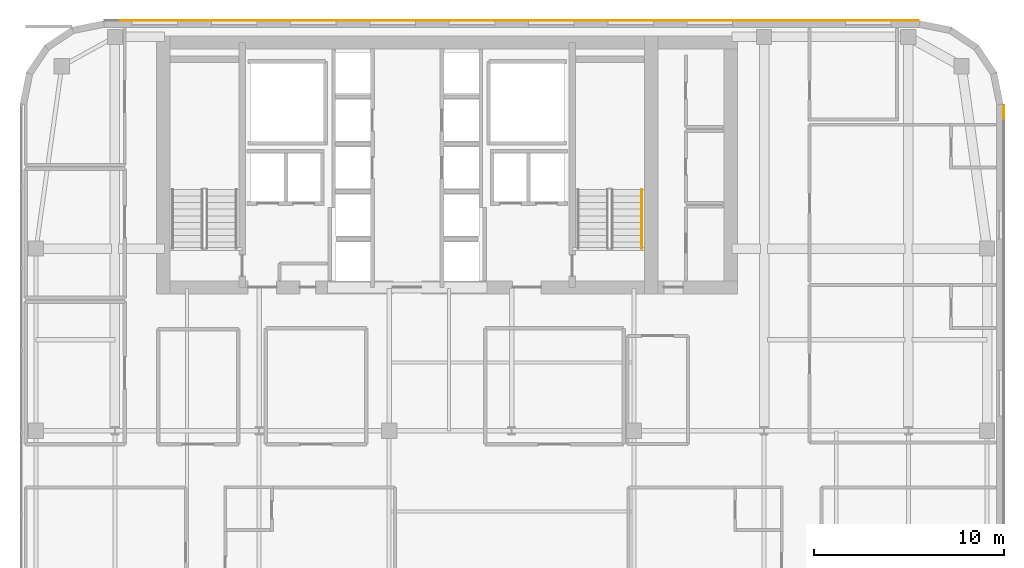
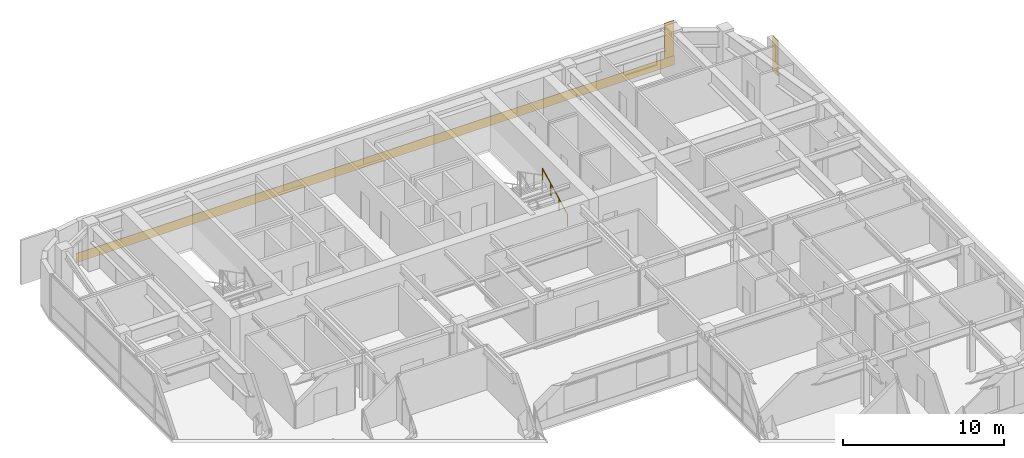
# One storey, part 28 of 28: 3 coverings, 1 railing.
"""IFC4 building model written with IfcOpenShell, lengths in metres."""

import ifcopenshell
import ifcopenshell.guid

model = None  # the IFC model being written
_history = None  # IfcOwnerHistory: only IFC2X3 demands one
_inside = {}  # id of a spatial element -> (the spatial element, [elements in it])
_under = {}  # id of a project, library or spatial element -> (it, [spatial elements below it])
_declared = {}  # id of a project -> (the project, [libraries it declares])
_typed = {}  # id of a type object -> (the type object, [elements of that type])
_made_of = {}  # id of a material, layer set ... -> (it, [elements and type objects made of it])


def new_model(schema):
    """Start an empty IFC model of exactly this schema.

    Asked for "IFC4X3", IfcOpenShell would pick the latest addendum, in which some entities
    have other attributes; the version numbers below select the first issue.
    IFC2X3 requires an IfcOwnerHistory on every rooted entity: one is made here for all.
    """
    global model, _history
    if schema == "IFC4X3":
        model = ifcopenshell.file(schema_version=(4, 3, 0, 0))
    else:
        model = ifcopenshell.file(schema=schema)
    _inside.clear()
    _under.clear()
    _declared.clear()
    _typed.clear()
    _made_of.clear()
    _history = None
    if model.schema == "IFC2X3":
        org = make("IfcOrganization", Name="unknown")
        user = make(
            "IfcPersonAndOrganization",
            ThePerson=make("IfcPerson", FamilyName="unknown"),
            TheOrganization=org,
        )
        app = make(
            "IfcApplication",
            ApplicationDeveloper=org,
            Version="unknown",
            ApplicationFullName="unknown",
            ApplicationIdentifier="unknown",
        )
        _history = make(
            "IfcOwnerHistory",
            OwningUser=user,
            OwningApplication=app,
            ChangeAction="ADDED",
            CreationDate=0,
        )
    return model


def make(cls, **values):
    """One entity of the class cls with the attributes given. An attribute that is None is left unset."""
    return model.create_entity(
        cls, **{name: value for name, value in values.items() if value is not None}
    )


def rooted(cls, **values):
    """An entity with a GlobalId (a new one), such as an element, a storey or a relation."""
    return make(cls, GlobalId=ifcopenshell.guid.new(), OwnerHistory=_history, **values)


def si_unit(unit_type, name, prefix=None):
    """IfcSIUnit, for example si_unit("LENGTHUNIT", "METRE", prefix="MILLI")."""
    return make("IfcSIUnit", UnitType=unit_type, Prefix=prefix, Name=name)


def assignment(units):
    """IfcUnitAssignment: the units of a project."""
    return None if units is None else make("IfcUnitAssignment", Units=units)


def point(xyz):
    """IfcCartesianPoint."""
    return None if xyz is None else make("IfcCartesianPoint", Coordinates=xyz)


def direction(xyz):
    """IfcDirection."""
    return None if xyz is None else make("IfcDirection", DirectionRatios=xyz)


def frame(location, z_axis=None, x_axis=None):
    """IfcAxis2Placement3D, a coordinate frame: its origin and axes. An axis left out is left unset."""
    return make(
        "IfcAxis2Placement3D",
        Location=point(location),
        Axis=direction(z_axis),
        RefDirection=direction(x_axis),
    )


def frame_2d(location, x_axis=None):
    """IfcAxis2Placement2D, a coordinate frame in the plane: its origin and x axis."""
    return make(
        "IfcAxis2Placement2D", Location=point(location), RefDirection=direction(x_axis)
    )


def origin():
    """The frame at (0, 0, 0) with its axes left unset."""
    return frame((0.0, 0.0, 0.0))


def origin_2d():
    """The frame at (0, 0) in the plane with its x axis left unset."""
    return frame_2d((0.0, 0.0))


def place(relative_to, where):
    """IfcLocalPlacement: puts the frame where relative to a parent placement (None: the world)."""
    return make(
        "IfcLocalPlacement", PlacementRelTo=relative_to, RelativePlacement=where
    )


def context(
    kind, dimensions, precision=None, world=None, true_north=None, identifier=None
):
    """IfcGeometricRepresentationContext, for example the 3D "Model" context."""
    return make(
        "IfcGeometricRepresentationContext",
        ContextIdentifier=identifier,
        ContextType=kind,
        CoordinateSpaceDimension=dimensions,
        Precision=precision,
        WorldCoordinateSystem=world,
        TrueNorth=true_north,
    )


def subcontext(parent, identifier, kind, view, scale=None):
    """IfcGeometricRepresentationSubContext, for example "Body" below "Model"."""
    return make(
        "IfcGeometricRepresentationSubContext",
        ContextIdentifier=identifier,
        ContextType=kind,
        ParentContext=parent,
        TargetScale=scale,
        TargetView=view,
    )


def project(units=None, contexts=None):
    """IfcProject with its units and contexts."""
    return rooted(
        "IfcProject",
        Name="project",
        RepresentationContexts=contexts,
        UnitsInContext=assignment(units),
    )


def spatial(cls, under=None, at=None, **own):
    """A site, building, storey or space (cls), placed at a placement, below another one or the project."""
    s = rooted(cls, ObjectPlacement=at, **own)
    if under is not None:
        _under.setdefault(under.id(), (under, []))[1].append(s)
    return s


def polyline(points):
    """IfcPolyline through the points."""
    return make("IfcPolyline", Points=[point(p) for p in points])


def profile(cls, at=None, kind="AREA", **sizes):
    """A parametric profile (cls). Its sizes go by their IFC names, for example OverallWidth=200.0."""
    return make(cls, ProfileType=kind, Position=at, **sizes)


def circle(**sizes):
    """IfcCircleProfileDef."""
    return profile("IfcCircleProfileDef", **sizes)


def outline(outer, holes=None, kind="AREA"):
    """IfcArbitraryClosedProfileDef: a profile drawn as a closed curve; with holes, ...WithVoids."""
    if holes is None:
        return make("IfcArbitraryClosedProfileDef", ProfileType=kind, OuterCurve=outer)
    return make(
        "IfcArbitraryProfileDefWithVoids",
        ProfileType=kind,
        OuterCurve=outer,
        InnerCurves=holes,
    )


def extrude(swept, where, along, depth):
    """IfcExtrudedAreaSolid: the profile swept, set in the frame where, extruded along a direction by depth."""
    return make(
        "IfcExtrudedAreaSolid",
        SweptArea=swept,
        Position=where,
        ExtrudedDirection=direction(along),
        Depth=depth,
    )


def shape(context_of_items, identifier, shape_type, items):
    """IfcShapeRepresentation: the items that make up one representation, for example the "Body"."""
    return make(
        "IfcShapeRepresentation",
        ContextOfItems=context_of_items,
        RepresentationIdentifier=identifier,
        RepresentationType=shape_type,
        Items=items,
    )


def material(Name=None, Category=None):
    """IfcMaterial."""
    return make("IfcMaterial", Name=Name, Category=Category)


def layer(
    of_material, thickness, ventilated=None, Name=None, Category=None, Priority=None
):
    """IfcMaterialLayer: one layer of a wall or slab, of a material (None: an air gap)."""
    return make(
        "IfcMaterialLayer",
        Material=of_material,
        LayerThickness=thickness,
        IsVentilated=ventilated,
        Name=Name,
        Category=Category,
        Priority=Priority,
    )


def layer_set(layers, Name=None):
    """IfcMaterialLayerSet."""
    return make("IfcMaterialLayerSet", MaterialLayers=layers, LayerSetName=Name)


def made_of(thing, what):
    """Note that an element or type object is made of a material, layer set ...; save() writes the relation."""
    if what is not None:
        _made_of.setdefault(what.id(), (what, []))[1].append(thing)
    return thing


def type_object(cls, material=None, **own):
    """A type object (cls), such as IfcWallType, which elements share."""
    return made_of(rooted(cls, **own), material)


def element(
    cls,
    number,
    at=None,
    inside=None,
    cuts=None,
    type_object=None,
    material=None,
    context=None,
    identifier="Body",
    shape_type=None,
    held_by="IfcProductDefinitionShape",
    body=None,
    shapes=None,
    **own,
):
    """One element of the class cls, such as IfcWall. Its Tag is "e" and its number.

    at: its placement. inside: the storey or other place that contains it. cuts: it is an
    opening in that element (IfcRelVoidsElement). A single representation is given by context,
    identifier, shape_type and body (its items); several are given by shapes. held_by: the class
    of the entity that holds the representations. save() writes the other relations.
    """
    e = rooted(cls, Tag="e%d" % number, ObjectPlacement=at, **own)
    if body is not None:
        shapes = [shape(context, identifier, shape_type, body)]
    if shapes is not None:
        e.Representation = make(held_by, Representations=shapes)
    if inside is not None:
        _inside.setdefault(inside.id(), (inside, []))[1].append(e)
    if cuts is not None:
        rooted(
            "IfcRelVoidsElement", RelatingBuildingElement=cuts, RelatedOpeningElement=e
        )
    if type_object is not None:
        _typed.setdefault(type_object.id(), (type_object, []))[1].append(e)
    return made_of(e, material)


def aggregate(whole, parts):
    """IfcRelAggregates: a whole, such as a stair, and the parts it consists of."""
    return rooted("IfcRelAggregates", RelatingObject=whole, RelatedObjects=parts)


def save(model, path):
    """Write the relations noted so far, then the file.

    IfcRelAggregates (storeys below a building ...), IfcRelContainedInSpatialStructure (elements
    in a storey), IfcRelDefinesByType, IfcRelAssociatesMaterial and IfcRelDeclares: one each for
    every whole, place, type object, material and project.
    """
    for whole, parts in _under.values():
        aggregate(whole, parts)
    for where, things in _inside.values():
        rooted(
            "IfcRelContainedInSpatialStructure",
            RelatedElements=things,
            RelatingStructure=where,
        )
    for kind, things in _typed.values():
        rooted("IfcRelDefinesByType", RelatedObjects=things, RelatingType=kind)
    for what, things in _made_of.values():
        rooted("IfcRelAssociatesMaterial", RelatedObjects=things, RelatingMaterial=what)
    for by, libraries in _declared.values():
        rooted("IfcRelDeclares", RelatingContext=by, RelatedDefinitions=libraries)
    model.write(path)


model = new_model("IFC4")

# Units and contexts
model_context = context("Model", 3, precision=1e-05, world=origin(), true_north=direction((0.0, 1.0)))
body_context = subcontext(model_context, "Body", "Model", "MODEL_VIEW")
ifc_project = project(units=[si_unit("LENGTHUNIT", "METRE"), si_unit("AREAUNIT", "SQUARE_METRE"), si_unit("VOLUMEUNIT", "CUBIC_METRE"), si_unit("PLANEANGLEUNIT", "RADIAN"), si_unit("MASSUNIT", "GRAM", prefix="KILO")], contexts=[model_context])

# Site, building, storey
site_placement = place(None, origin())
site = spatial("IfcSite", under=ifc_project, at=site_placement, CompositionType="ELEMENT")
building_placement = place(site_placement, origin())
building = spatial("IfcBuilding", under=site, at=building_placement, Name="Tolvann Quenvar Hotel", CompositionType="ELEMENT")
storey_placement = place(building_placement, frame((0.0, 0.0, 198.199951171875)))
storey = spatial("IfcBuildingStorey", under=building, at=storey_placement, Name="L52", CompositionType="ELEMENT", Elevation=198.199951171875)

# Coverings
ifc_material_1 = material(Name="Kiln-fired red architectural face brick cladding", Category="masonry")
ifc_layer_1 = layer(ifc_material_1, 0.0400390625)
ifc_layer_set_1 = layer_set([ifc_layer_1], Name="Kiln-fired red architectural face brick cladding")
covering_type_1 = type_object("IfcCoveringType", Name="COV_CLAD_BRICK_40", PredefinedType="CLADDING", material=ifc_layer_set_1)
covering_1_placement = place(storey_placement, frame((0.0, 0.0, 0.699951171875)))
element("IfcCovering", 1, at=covering_1_placement, inside=storey, type_object=covering_type_1, Name="Brick Pier Cladding (L52-E13-P2)", PredefinedType="CLADDING", context=body_context, shape_type="SweptSolid", body=[
    extrude(outline(polyline([(54.39990234375, 40.832763671875), (54.39990234375, 41.53271484375), (54.43994140625, 41.53271484375), (54.43994140625, 40.832763671875), (54.39990234375, 40.832763671875)])), origin(), (0.0, 0.0, 1.0), 2.670166015625),
])
covering_2_placement = place(storey_placement, frame((0.0, 0.0, 0.699951171875)))
element("IfcCovering", 2, at=covering_2_placement, inside=storey, type_object=covering_type_1, Name="Brick Pier Cladding (L52-E18-P1)", PredefinedType="CLADDING", context=body_context, shape_type="SweptSolid", body=[
    extrude(outline(polyline([(49.932861328125, 46.0), (49.23291015625, 46.0), (49.23291015625, 46.0400390625), (49.932861328125, 46.0400390625), (49.932861328125, 46.0)])), origin(), (0.0, 0.0, 1.0), 2.670166015625),
])
ifc_material_2 = material(Name="Moulded buff architectural terracotta spandrel cladding", Category="masonry")
ifc_layer_2 = layer(ifc_material_2, 0.0400390625)
ifc_layer_set_2 = layer_set([ifc_layer_2], Name="Moulded buff architectural terracotta spandrel cladding")
covering_type_2 = type_object("IfcCoveringType", Name="COV_CLAD_TERRA_40", PredefinedType="CLADDING", material=ifc_layer_set_2)
covering_3_placement = place(storey_placement, origin())
element("IfcCovering", 3, at=covering_3_placement, inside=storey, type_object=covering_type_2, Name="Terracotta Spandrel Cladding (L52-E18)", PredefinedType="CLADDING", context=body_context, shape_type="SweptSolid", body=[
    extrude(outline(polyline([(49.94287109375, 46.0), (7.05712890625, 46.0), (7.05712890625, 46.0400390625), (49.94287109375, 46.0400390625), (49.94287109375, 46.0)])), origin(), (0.0, 0.0, 1.0), 0.699951171875),
])

# Railing
ifc_material_3 = material(Name="Brushed 316 stainless steel balustrade and handrail", Category="steel")
railing_type = type_object("IfcRailingType", Name="HANDRAIL", PredefinedType="HANDRAIL", material=ifc_material_3)
railing_placement = place(storey_placement, frame((35.35009765625, 34.0, 0.177490234375)))
element("IfcRailing", 4, at=railing_placement, inside=storey, type_object=railing_type, Name="L52 ST-C2 stair handrail 1", PredefinedType="HANDRAIL", context=body_context, shape_type="SweptSolid", body=[
    extrude(circle(Radius=0.02392578125, at=origin_2d()), frame((0.0, 0.0, 0.8759765625), z_axis=(0.0, 0.88919353882, 0.457531256332), x_axis=(-1.0, 0.0, 0.0)), (0.0, 0.0, 1.0), 3.491943359375),
    extrude(circle(Radius=0.02099609375, at=origin_2d()), origin(), (0.0, 0.0, 1.0), 0.851806640625),
    extrude(circle(Radius=0.02099609375, at=origin_2d()), frame((0.0, 1.034912109375, 0.532470703125)), (0.0, 0.0, 1.0), 0.851806640625),
    extrude(circle(Radius=0.02099609375, at=origin_2d()), frame((0.0, 2.070068359375, 1.065185546875)), (0.0, 0.0, 1.0), 0.851806640625),
    extrude(circle(Radius=0.02099609375, at=origin_2d()), frame((0.0, 3.10498046875, 1.59765625)), (0.0, 0.0, 1.0), 0.851806640625),
])

save(model, "model.ifc")
